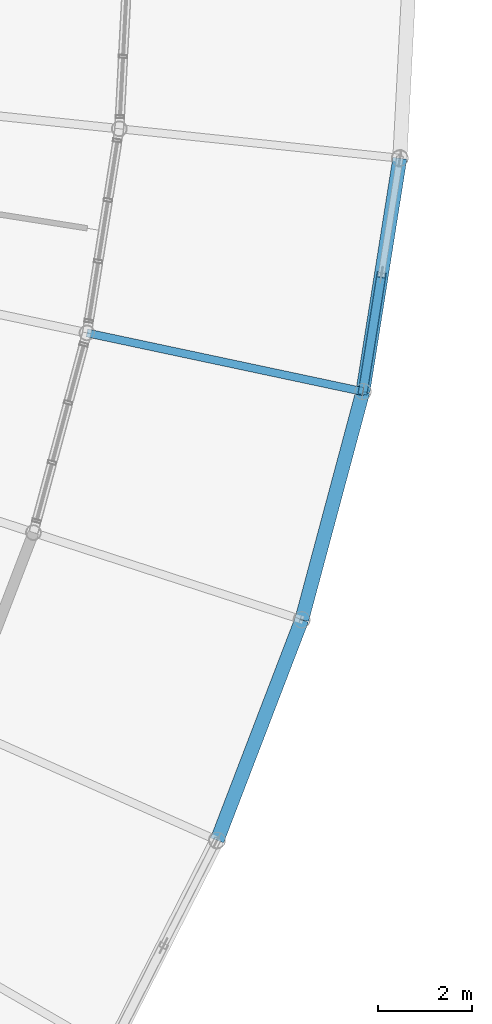
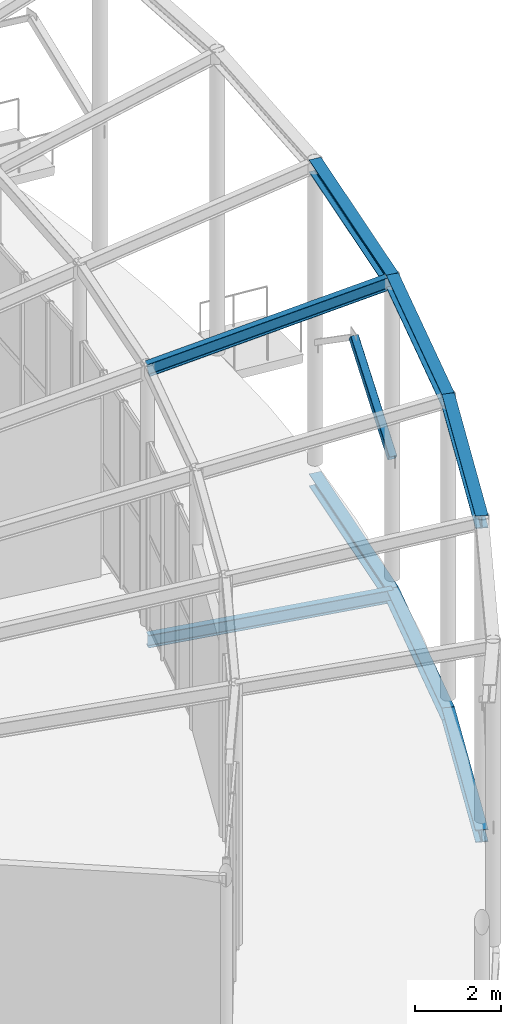
# One storey, part 91 of 158: 8 beams, 1 member.
"""IFC4 building model written with IfcOpenShell, lengths in metres."""

from ifc_helpers import new_model, si_unit, derived_unit, direction, frame, origin, origin_2d, place, context, subcontext, project, spatial, hollow_rectangle, i_section, extrude, material, material_profile, profile_set, type_object, element, save


model = new_model("IFC4")

# Units and contexts
model_context = context("Model", 3, precision=1e-05, world=origin(), true_north=direction((0.0, 1.0)))
body_context = subcontext(model_context, "Body", "Model", "MODEL_VIEW")
ifc_project = project(units=[si_unit("LENGTHUNIT", "METRE"), si_unit("AREAUNIT", "SQUARE_METRE"), si_unit("VOLUMEUNIT", "CUBIC_METRE"), si_unit("PLANEANGLEUNIT", "RADIAN"), si_unit("MASSUNIT", "GRAM", prefix="KILO"), si_unit("THERMODYNAMICTEMPERATUREUNIT", "KELVIN"), si_unit("TIMEUNIT", "SECOND"), derived_unit("THERMALTRANSMITTANCEUNIT", [(si_unit("MASSUNIT", "GRAM", prefix="KILO"), 1), (si_unit("THERMODYNAMICTEMPERATUREUNIT", "KELVIN"), -1), (si_unit("TIMEUNIT", "SECOND"), -3)])], contexts=[model_context])

# Site, building, storey
site_placement = place(None, origin())
site = spatial("IfcSite", under=ifc_project, at=site_placement, CompositionType="ELEMENT")
building_placement = place(site_placement, origin())
building = spatial("IfcBuilding", under=site, at=building_placement, Name="Cambertide Market Hall", CompositionType="ELEMENT")
storey_placement = place(building_placement, origin())
storey = spatial("IfcBuildingStorey", under=building, at=storey_placement, Name="L01", CompositionType="ELEMENT", Elevation=0.0)

# Beams
ifc_material_1 = material(Name="Steel S355", Category="steel")
ifc_material_profile_1 = material_profile(ifc_material_1, i_section(OverallWidth=0.300048828125, OverallDepth=0.360107421875, WebThickness=0.012451171875, FlangeThickness=0.0224609375, FilletRadius=0.027099609375, at=origin_2d()), Name="HEB 360")
ifc_profile_set_1 = profile_set([ifc_material_profile_1], Name="Steel S355")
beam_type_1 = type_object("IfcBeamType", Name="Exterior Steel Girder HEB 360", PredefinedType="BEAM", material=ifc_profile_set_1)
beam_1_placement = place(storey_placement, frame((187.85009765625, 46.4765625, 8.449951171875), z_axis=(0.358360338881, 0.933583347922, 0.0), x_axis=(-0.933583347922, 0.358360338881, 0.0)))
element("IfcBeam", 1, at=beam_1_placement, inside=storey, type_object=beam_type_1, Name="Level 1 Beam BM-V5C-CAN-OUT-3", PredefinedType="BEAM", context=body_context, shape_type="SweptSolid", body=[
    extrude(i_section(OverallWidth=0.300048828125, OverallDepth=0.360107421875, WebThickness=0.012451171875, FlangeThickness=0.0224609375, FilletRadius=0.027099609375, at=origin_2d()), origin(), (0.0, 0.0, 1.0), 5.0244140625),
])
for number, where, z_axis, x_axis, name in (
    (2, (189.650634765625, 51.167236328125, 8.449951171875), (0.258851050893, 0.965917249795, 0.0), (-0.965917249795, 0.258851050893, 0.0), "Level 1 Beam BM-V5C-CAN-OUT-4"),
    (3, (190.951171875, 56.020263671875, 8.449951171875), (0.156419194793, 0.987690759044, 0.0), (-0.987690759044, 0.156419194793, 0.0), "Level 1 Beam BM-V5C-CAN-OUT-5"),
):
    element("IfcBeam", number, at=place(storey_placement, frame(where, z_axis=z_axis, x_axis=x_axis)), inside=storey, type_object=beam_type_1, Name=name, PredefinedType="BEAM", context=body_context, shape_type="SweptSolid", body=[
        extrude(i_section(OverallWidth=0.300048828125, OverallDepth=0.360107421875, WebThickness=0.012451171875, FlangeThickness=0.0224609375, FilletRadius=0.027099609375, at=origin_2d()), origin(), (0.0, 0.0, 1.0), 5.024169921875),
    ])
ifc_material_2 = material(Name="Steel S355", Category="steel")
ifc_material_profile_2 = material_profile(ifc_material_2, i_section(OverallWidth=0.169921875, OverallDepth=0.360107421875, WebThickness=0.008056640625, FlangeThickness=0.0126953125, FilletRadius=0.01806640625, at=origin_2d()), Name="IPE 360")
ifc_profile_set_2 = profile_set([ifc_material_profile_2], Name="Steel S355")
beam_type_2 = type_object("IfcBeamType", Name="Exterior Steel Girder IPE 360", PredefinedType="BEAM", material=ifc_profile_set_2)
beam_2_placement = place(storey_placement, frame((185.082275390625, 57.267822265625, 7.22998046875), z_axis=(0.958531507491, -0.203756229597, 0.199250465616), x_axis=(0.207925426197, 0.978144681088, 0.0)))
element("IfcBeam", 4, at=beam_2_placement, inside=storey, type_object=beam_type_2, Name="BM-V5R2-CAN-5", PredefinedType="BEAM", context=body_context, shape_type="SweptSolid", body=[
    extrude(i_section(OverallWidth=0.169921875, OverallDepth=0.360107421875, WebThickness=0.008056640625, FlangeThickness=0.0126953125, FilletRadius=0.01806640625, at=origin_2d()), origin(), (0.0, 0.0, 1.0), 6.122802734375),
])
ifc_material_3 = material(Name="Steel S355", Category="steel")
ifc_material_profile_3 = material_profile(ifc_material_3, i_section(OverallWidth=0.300048828125, OverallDepth=0.360107421875, WebThickness=0.012451171875, FlangeThickness=0.0224609375, FilletRadius=0.027099609375, at=origin_2d()), Name="HEB 360")
ifc_profile_set_3 = profile_set([ifc_material_profile_3], Name="Steel S355")
beam_type_3 = type_object("IfcBeamType", Name="Steel Girder HEB 360", PredefinedType="BEAM", material=ifc_profile_set_3)
beam_3_placement = place(storey_placement, frame((187.85009765625, 46.4765625, -0.47998046875), z_axis=(0.358360338881, 0.933583347922, 0.0), x_axis=(-0.933583347922, 0.358360338881, 0.0)))
element("IfcBeam", 5, at=beam_3_placement, inside=storey, type_object=beam_type_3, Name="Level 1 Beam BM-V5C-FLR-OUT-3", PredefinedType="BEAM", context=body_context, shape_type="SweptSolid", body=[
    extrude(i_section(OverallWidth=0.300048828125, OverallDepth=0.360107421875, WebThickness=0.012451171875, FlangeThickness=0.0224609375, FilletRadius=0.027099609375, at=origin_2d()), origin(), (0.0, 0.0, 1.0), 5.0244140625),
])
for number, where, z_axis, x_axis, name in (
    (6, (189.650634765625, 51.167236328125, -0.47998046875), (0.258851050893, 0.965917249795, 0.0), (-0.965917249795, 0.258851050893, 0.0), "Level 1 Beam BM-V5C-FLR-OUT-4"),
    (7, (190.951171875, 56.020263671875, -0.47998046875), (0.156419194793, 0.987690759044, 0.0), (-0.987690759044, 0.156419194793, 0.0), "Level 1 Beam BM-V5C-FLR-OUT-5"),
):
    element("IfcBeam", number, at=place(storey_placement, frame(where, z_axis=z_axis, x_axis=x_axis)), inside=storey, type_object=beam_type_3, Name=name, PredefinedType="BEAM", context=body_context, shape_type="SweptSolid", body=[
        extrude(i_section(OverallWidth=0.300048828125, OverallDepth=0.360107421875, WebThickness=0.012451171875, FlangeThickness=0.0224609375, FilletRadius=0.027099609375, at=origin_2d()), origin(), (0.0, 0.0, 1.0), 5.024169921875),
    ])
ifc_material_4 = material(Name="Steel S355", Category="steel")
ifc_material_profile_4 = material_profile(ifc_material_4, i_section(OverallWidth=0.169921875, OverallDepth=0.360107421875, WebThickness=0.008056640625, FlangeThickness=0.0126953125, FilletRadius=0.01806640625, at=origin_2d()), Name="IPE 360")
ifc_profile_set_4 = profile_set([ifc_material_profile_4], Name="Steel S355")
beam_type_4 = type_object("IfcBeamType", Name="Steel Girder IPE 360", PredefinedType="BEAM", material=ifc_profile_set_4)
beam_4_placement = place(storey_placement, frame((185.082275390625, 57.267822265625, -0.47998046875), z_axis=(0.978144681088, -0.207925426197, 0.0), x_axis=(0.207925426197, 0.978144681088, 0.0)))
element("IfcBeam", 8, at=beam_4_placement, inside=storey, type_object=beam_type_4, Name="Level 1 Beam BM-V5R2-FLR-5", PredefinedType="BEAM", context=body_context, shape_type="SweptSolid", body=[
    extrude(i_section(OverallWidth=0.169921875, OverallDepth=0.360107421875, WebThickness=0.008056640625, FlangeThickness=0.0126953125, FilletRadius=0.01806640625, at=origin_2d()), origin(), (0.0, 0.0, 1.0), 6.0),
])

# Member
ifc_material_5 = material(Name="Steel S355", Category="steel")
ifc_material_profile_5 = material_profile(ifc_material_5, hollow_rectangle(XDim=0.199951171875, YDim=0.199951171875, WallThickness=0.008056640625, InnerFilletRadius=0.008056640625, OuterFilletRadius=0.01611328125, at=origin_2d()), Name="SHS 200x200x8")
ifc_profile_set_5 = profile_set([ifc_material_profile_5], Name="Steel S355")
member_type = type_object("IfcMemberType", Name="Structural Brace SHS 200x200x8", PredefinedType="BRACE", material=ifc_profile_set_5)
member_placement = place(storey_placement, frame((190.951171875, 56.020263671875, 3.39990234375), z_axis=(0.127108680953, 0.802862352095, 0.582456373315), x_axis=(-0.9876982652, 0.156371790683, 0.0)))
element("IfcMember", 9, at=member_placement, inside=storey, type_object=member_type, Name="PBR-V5-8-A", PredefinedType="BRACE", context=body_context, shape_type="SweptSolid", body=[
    extrude(hollow_rectangle(XDim=0.199951171875, YDim=0.199951171875, WallThickness=0.008056640625, InnerFilletRadius=0.008056640625, OuterFilletRadius=0.01611328125, at=origin_2d()), origin(), (0.0, 0.0, 1.0), 3.09033203125),
])

save(model, "model.ifc")
